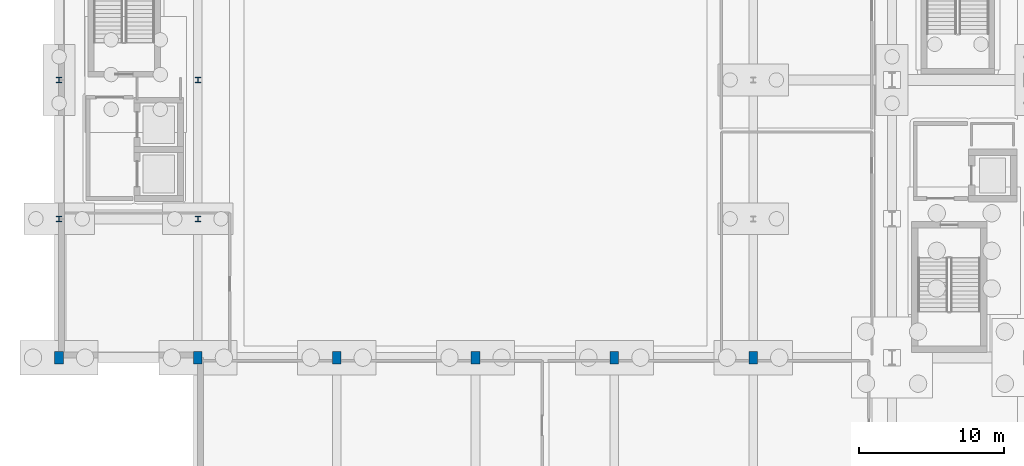
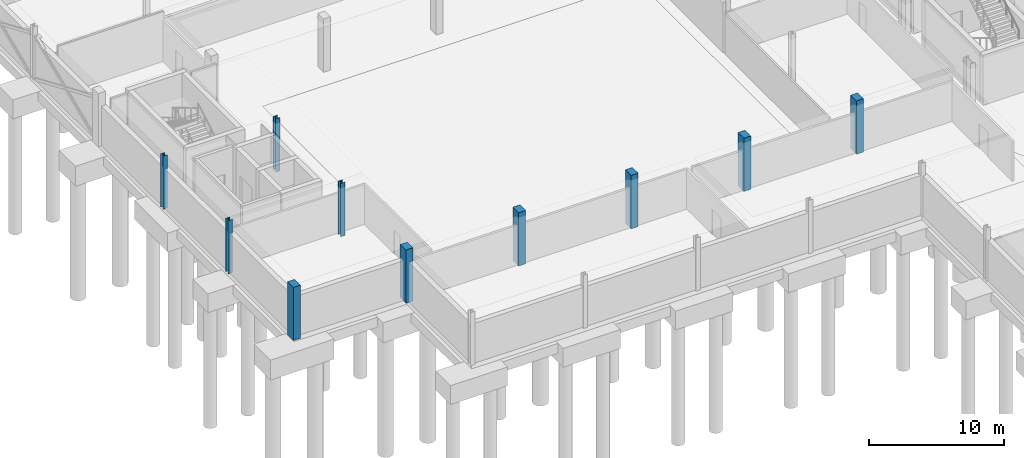
# One storey, part 14 of 67: 10 columns.
"""IFC4 building model written with IfcOpenShell, lengths in metres."""

from ifc_helpers import new_model, si_unit, direction, frame, origin, origin_2d, place, context, subcontext, project, spatial, rectangle, i_section, extrude, material, material_profile, profile_set, type_object, element, save


model = new_model("IFC4")

# Units and contexts
model_context = context("Model", 3, precision=1e-05, world=origin(), true_north=direction((0.0, 1.0)))
body_context = subcontext(model_context, "Body", "Model", "MODEL_VIEW")
ifc_project = project(units=[si_unit("LENGTHUNIT", "METRE"), si_unit("AREAUNIT", "SQUARE_METRE"), si_unit("VOLUMEUNIT", "CUBIC_METRE"), si_unit("PLANEANGLEUNIT", "RADIAN"), si_unit("MASSUNIT", "GRAM", prefix="KILO")], contexts=[model_context])

# Site, building, storey
site_placement = place(None, origin())
site = spatial("IfcSite", under=ifc_project, at=site_placement, CompositionType="ELEMENT")
building_placement = place(site_placement, origin())
building = spatial("IfcBuilding", under=site, at=building_placement, Name="Caelomonte Colonnade Arena", CompositionType="ELEMENT")
storey_placement = place(building_placement, frame((0.0, 0.0, -4.800048828125)))
storey = spatial("IfcBuildingStorey", under=building, at=storey_placement, Name="B1", CompositionType="ELEMENT", Elevation=-4.800048828125)

# Columns
ifc_material_1 = material(Name="Concrete C40/50", Category="concrete")
ifc_material_profile_1 = material_profile(ifc_material_1, rectangle(XDim=0.60009765625, YDim=0.85009765625, at=origin_2d()), Name="RC600X850")
ifc_profile_set_1 = profile_set([ifc_material_profile_1], Name="Concrete C40/50")
column_type_1 = type_object("IfcColumnType", Name="STR-COL-RC68", PredefinedType="COLUMN", material=ifc_profile_set_1)
for number, where, z_axis, x_axis, name in (
    (1, (0.0, 38.39990234375, 0.0), (0.0, 0.0, 1.0), (1.0, 0.0, 0.0), "B1 column (0.0, 38.4)"),
    (2, (9.60009765625, 38.39990234375, 0.0), (0.0, 0.0, 1.0), (1.0, 0.0, 0.0), "B1 column (9.6, 38.4)"),
    (3, (19.199951171875, 38.39990234375, 0.0), (0.0, 0.0, 1.0), (1.0, 0.0, 0.0), "B1 column (19.2, 38.4)"),
    (4, (28.800048828125, 38.39990234375, 0.0), (0.0, 0.0, 1.0), (1.0, 0.0, 0.0), "B1 column (28.8, 38.4)"),
    (5, (38.39990234375, 38.39990234375, 0.0), (0.0, 0.0, 1.0), (1.0, 0.0, 0.0), "B1 column (38.4, 38.4)"),
    (6, (48.0, 38.39990234375, 0.0), (0.0, 0.0, 1.0), (1.0, 0.0, 0.0), "B1 column (48.0, 38.4)"),
):
    element("IfcColumn", number, at=place(storey_placement, frame(where, z_axis=z_axis, x_axis=x_axis)), inside=storey, type_object=column_type_1, Name=name, PredefinedType="COLUMN", context=body_context, shape_type="SweptSolid", body=[
        extrude(rectangle(XDim=0.60009765625, YDim=0.85009765625, at=origin_2d()), origin(), (0.0, 0.0, 1.0), 4.800048828125),
    ])
ifc_material_2 = material(Name="Wide-flange steel ASTM A992 Grade 50", Category="steel")
ifc_material_profile_2 = material_profile(ifc_material_2, i_section(OverallWidth=0.3740234375, OverallDepth=0.372314453125, WebThickness=0.016357421875, FlangeThickness=0.026123046875, FilletRadius=0.01513671875, at=origin_2d()), Name="W14X132")
ifc_profile_set_2 = profile_set([ifc_material_profile_2], Name="Wide-flange steel ASTM A992 Grade 50")
column_type_2 = type_object("IfcColumnType", Name="STR-COL-W14A", PredefinedType="COLUMN", material=ifc_profile_set_2)
for number, where, z_axis, x_axis, name in (
    (7, (0.0, 48.0, 0.0), (0.0, 0.0, 1.0), (1.0, 0.0, 0.0), "B1 column (0.0, 48.0)"),
    (8, (0.0, 57.60009765625, 0.0), (0.0, 0.0, 1.0), (1.0, 0.0, 0.0), "B1 column (0.0, 57.6)"),
    (9, (9.60009765625, 48.0, 0.0), (0.0, 0.0, 1.0), (1.0, 0.0, 0.0), "B1 column (9.6, 48.0)"),
    (10, (9.60009765625, 57.60009765625, 0.0), (0.0, 0.0, 1.0), (1.0, 0.0, 0.0), "B1 column (9.6, 57.6)"),
):
    element("IfcColumn", number, at=place(storey_placement, frame(where, z_axis=z_axis, x_axis=x_axis)), inside=storey, type_object=column_type_2, Name=name, PredefinedType="COLUMN", context=body_context, shape_type="SweptSolid", body=[
        extrude(i_section(OverallWidth=0.3740234375, OverallDepth=0.372314453125, WebThickness=0.016357421875, FlangeThickness=0.026123046875, FilletRadius=0.01513671875, at=origin_2d()), origin(), (0.0, 0.0, 1.0), 4.800048828125),
    ])

save(model, "model.ifc")
